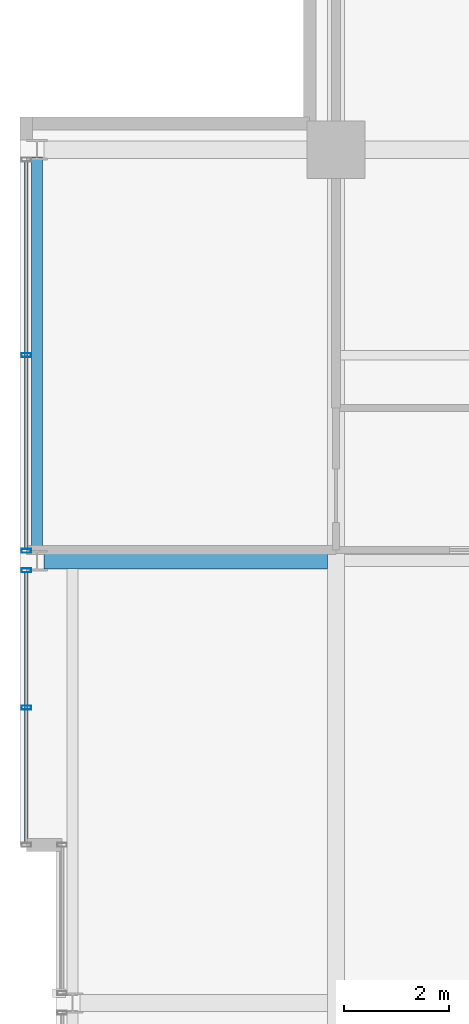
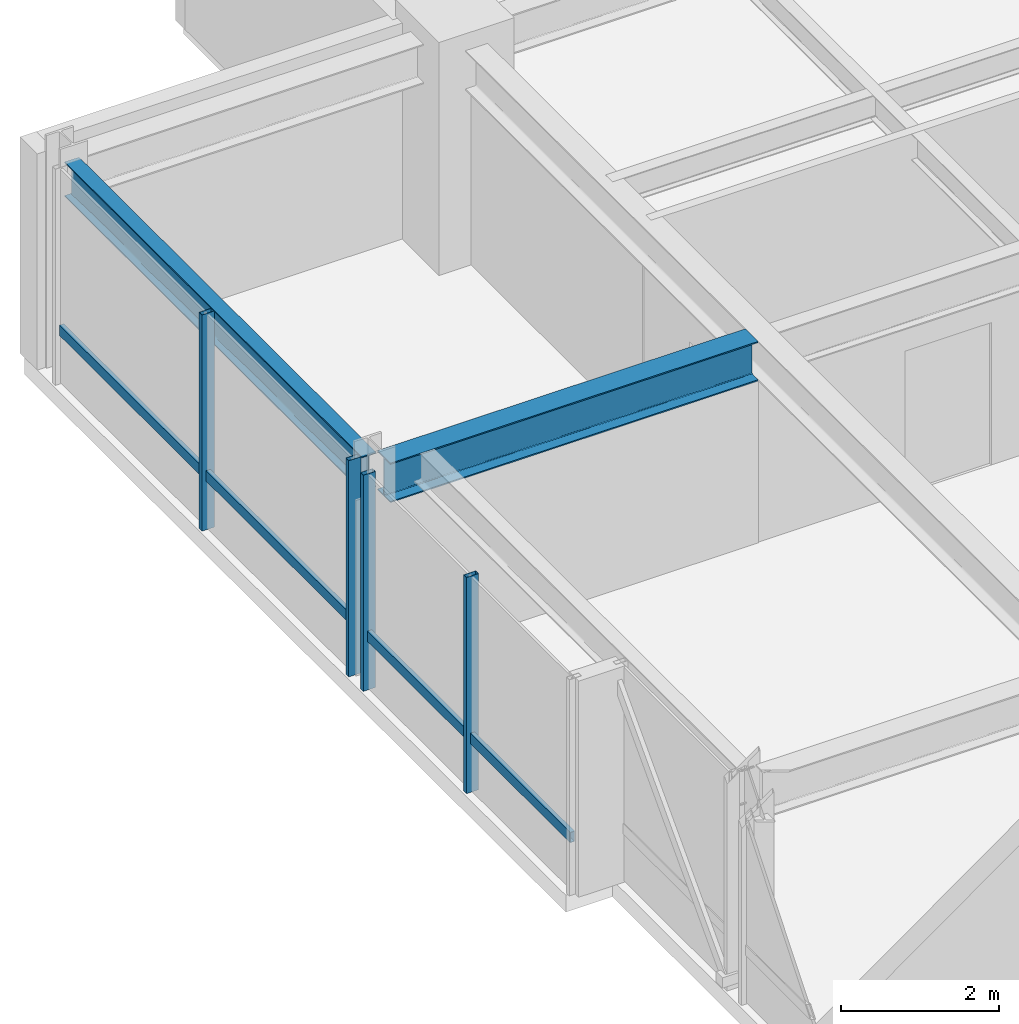
# One storey, part 17 of 31: 6 members, 2 beams, 2 elements without a shape of their own.
"""IFC4 building model written with IfcOpenShell, lengths in metres."""

from ifc_helpers import new_model, si_unit, direction, frame, origin, origin_2d, place, context, subcontext, project, spatial, hollow_rectangle, i_section, extrude, material, layer, layer_set, material_profile, profile_set, type_object, element, aggregate, save


model = new_model("IFC4")

# Units and contexts
model_context = context("Model", 3, precision=1e-05, world=origin(), true_north=direction((0.0, 1.0)))
body_context = subcontext(model_context, "Body", "Model", "MODEL_VIEW")
ifc_project = project(units=[si_unit("LENGTHUNIT", "METRE"), si_unit("AREAUNIT", "SQUARE_METRE"), si_unit("VOLUMEUNIT", "CUBIC_METRE"), si_unit("PLANEANGLEUNIT", "RADIAN"), si_unit("MASSUNIT", "GRAM", prefix="KILO")], contexts=[model_context])

# Site, building, storey
site_placement = place(None, origin())
site = spatial("IfcSite", under=ifc_project, at=site_placement, CompositionType="ELEMENT")
building_placement = place(site_placement, origin())
building = spatial("IfcBuilding", under=site, at=building_placement, Name="Drelvath Grand Hotel", CompositionType="ELEMENT")
storey_placement = place(building_placement, frame((0.0, 0.0, 219.5)))
storey = spatial("IfcBuildingStorey", under=building, at=storey_placement, Name="L57", CompositionType="ELEMENT", Elevation=219.5)

# Curtain wall, member
ifc_material_1 = material(Name="Platinum-Mist Anodised Aluminium Frame", Category="aluminium")
ifc_layer = layer(ifc_material_1, 0.199951171875)
ifc_layer_set = layer_set([ifc_layer], Name="Platinum-Mist Anodised Aluminium Frame")
curtain_wall_type = type_object("IfcCurtainWallType", Name="Stick Curtain Wall CW-05 Platinum Mist High-Rise", PredefinedType="NOTDEFINED", material=ifc_layer_set)
curtain_wall_1_placement = place(storey_placement, origin())
curtain_wall_1 = element("IfcCurtainWall", 1, at=curtain_wall_1_placement, inside=storey, type_object=curtain_wall_type, Name="L57 CW-05 Curtain Wall CW05-L57-WN1", PredefinedType="NOTDEFINED")
ifc_material_profile_1 = material_profile(ifc_material_1, hollow_rectangle(XDim=0.06494140625, YDim=0.159912109375, WallThickness=0.00390625, at=origin_2d()), Name="HSS160X65X4")
ifc_profile_set_1 = profile_set([ifc_material_profile_1], Name="Platinum-Mist Anodised Aluminium Frame")
member_type_1 = type_object("IfcMemberType", Name="Curtain Wall Horizontal Transom CW-05 HSS160X65X4", PredefinedType="USERDEFINED", material=ifc_profile_set_1)
member_1_placement = place(storey_placement, frame((-22.080078125, 30.0400390625, 0.8349609375), z_axis=(0.0, 1.0, 0.0), x_axis=(-1.0, 0.0, 0.0)))
member_1 = element("IfcMember", 2, at=member_1_placement, type_object=member_type_1, Name="CW05-L57-WN1 Sill Transom", ObjectType="TRANSOM", PredefinedType="USERDEFINED", context=body_context, shape_type="SweptSolid", body=[
    extrude(hollow_rectangle(XDim=0.06494140625, YDim=0.159912109375, WallThickness=0.00390625, at=origin_2d()), origin(), (0.0, 0.0, 1.0), 5.134765625),
])

curtain_wall_2_placement = place(storey_placement, origin())
curtain_wall_2 = element("IfcCurtainWall", 3, at=curtain_wall_2_placement, inside=storey, type_object=curtain_wall_type, Name="L57 CW-05 Curtain Wall CW05-L57-WN2", PredefinedType="NOTDEFINED")
member_2_placement = place(storey_placement, frame((-22.080078125, 35.625244140625, 0.8349609375), z_axis=(0.0, 1.0, 0.0), x_axis=(-1.0, 0.0, 0.0)))
member_2 = element("IfcMember", 4, at=member_2_placement, type_object=member_type_1, Name="CW05-L57-WN2 Sill Transom", ObjectType="TRANSOM", PredefinedType="USERDEFINED", context=body_context, shape_type="SweptSolid", body=[
    extrude(hollow_rectangle(XDim=0.06494140625, YDim=0.159912109375, WallThickness=0.00390625, at=origin_2d()), origin(), (0.0, 0.0, 1.0), 7.349365234375),
])

# Member
ifc_material_profile_2 = material_profile(ifc_material_1, hollow_rectangle(XDim=0.074951171875, YDim=0.179931640625, WallThickness=0.0048828125, at=origin_2d()), Name="HSS180X75X5")
ifc_profile_set_2 = profile_set([ifc_material_profile_2], Name="Platinum-Mist Anodised Aluminium Frame")
member_type_2 = type_object("IfcMemberType", Name="Curtain Wall Vertical Mullion CW-05 HSS180X75X5", PredefinedType="MULLION", material=ifc_profile_set_2)
member_3_placement = place(storey_placement, frame((-22.080078125, 32.607421875, 0.0), z_axis=(0.0, 0.0, 1.0), x_axis=(0.0, 1.0, 0.0)))
member_3 = element("IfcMember", 5, at=member_3_placement, type_object=member_type_2, Name="CW05-L57-WN1 Mullion 2", PredefinedType="MULLION", context=body_context, shape_type="SweptSolid", body=[
    extrude(hollow_rectangle(XDim=0.074951171875, YDim=0.179931640625, WallThickness=0.0048828125, at=origin_2d()), origin(), (0.0, 0.0, 1.0), 3.340087890625),
])

member_4_placement = place(storey_placement, frame((-22.080078125, 35.214599609375, 0.0), z_axis=(0.0, 0.0, 1.0), x_axis=(0.0, 1.0, 0.0)))
member_4 = element("IfcMember", 6, at=member_4_placement, type_object=member_type_2, Name="CW05-L57-WN1 Mullion 3", PredefinedType="MULLION", context=body_context, shape_type="SweptSolid", body=[
    extrude(hollow_rectangle(XDim=0.074951171875, YDim=0.179931640625, WallThickness=0.0048828125, at=origin_2d()), origin(), (0.0, 0.0, 1.0), 3.340087890625),
])

aggregate(curtain_wall_1, [member_3, member_4, member_1])

member_5_placement = place(storey_placement, frame((-22.080078125, 35.585205078125, 0.0), z_axis=(0.0, 0.0, 1.0), x_axis=(0.0, 1.0, 0.0)))
member_5 = element("IfcMember", 7, at=member_5_placement, type_object=member_type_2, Name="CW05-L57-WN2 Mullion 1", PredefinedType="MULLION", context=body_context, shape_type="SweptSolid", body=[
    extrude(hollow_rectangle(XDim=0.074951171875, YDim=0.179931640625, WallThickness=0.0048828125, at=origin_2d()), origin(), (0.0, 0.0, 1.0), 3.340087890625),
])

member_6_placement = place(storey_placement, frame((-22.080078125, 39.300048828125, 0.0), z_axis=(0.0, 0.0, 1.0), x_axis=(0.0, 1.0, 0.0)))
member_6 = element("IfcMember", 8, at=member_6_placement, type_object=member_type_2, Name="CW05-L57-WN2 Mullion 2", PredefinedType="MULLION", context=body_context, shape_type="SweptSolid", body=[
    extrude(hollow_rectangle(XDim=0.074951171875, YDim=0.179931640625, WallThickness=0.0048828125, at=origin_2d()), origin(), (0.0, 0.0, 1.0), 3.340087890625),
])

aggregate(curtain_wall_2, [member_5, member_6, member_2])

# Beams
ifc_material_2 = material(Name="Steel ASTM A992 Gr 50", Category="steel")
ifc_material_profile_3 = material_profile(ifc_material_2, i_section(OverallWidth=0.210205078125, OverallDepth=0.53662109375, WebThickness=0.010986328125, FlangeThickness=0.017333984375, FilletRadius=0.01806640625, at=origin_2d()), Name="W21X68")
ifc_profile_set_3 = profile_set([ifc_material_profile_3], Name="Steel ASTM A992 Gr 50")
beam_type_1 = type_object("IfcBeamType", Name="Perimeter Spandrel Beam W21X68", PredefinedType="SPANDREL", material=ifc_profile_set_3)
beam_1_placement = place(storey_placement, frame((-21.8798828125, 35.5400390625, 3.07177734375), z_axis=(0.0, 1.0, 0.0), x_axis=(-1.0, 0.0, 0.0)))
element("IfcBeam", 9, at=beam_1_placement, inside=storey, type_object=beam_type_1, Name="L57 Spandrel West N", PredefinedType="SPANDREL", context=body_context, shape_type="SweptSolid", body=[
    extrude(i_section(OverallWidth=0.210205078125, OverallDepth=0.53662109375, WebThickness=0.010986328125, FlangeThickness=0.017333984375, FilletRadius=0.01806640625, at=origin_2d()), origin(), (0.0, 0.0, 1.0), 7.52001953125),
])
ifc_material_profile_4 = material_profile(ifc_material_2, i_section(OverallWidth=0.323974609375, OverallDepth=0.611083984375, WebThickness=0.0126953125, FlangeThickness=0.01904296875, FilletRadius=0.02197265625, at=origin_2d()), Name="W24X104")
ifc_profile_set_4 = profile_set([ifc_material_profile_4], Name="Steel ASTM A992 Gr 50")
beam_type_2 = type_object("IfcBeamType", Name="Primary Floor Girder W24X104", PredefinedType="BEAM", material=ifc_profile_set_4)
beam_2_placement = place(storey_placement, frame((-21.739990234375, 35.39990234375, 3.034423828125), z_axis=(1.0, 0.0, 0.0), x_axis=(0.0, 1.0, 0.0)))
element("IfcBeam", 10, at=beam_2_placement, inside=storey, type_object=beam_type_2, Name="L57 West Wing Girder F", PredefinedType="BEAM", context=body_context, shape_type="SweptSolid", body=[
    extrude(i_section(OverallWidth=0.323974609375, OverallDepth=0.611083984375, WebThickness=0.0126953125, FlangeThickness=0.01904296875, FilletRadius=0.02197265625, at=origin_2d()), origin(), (0.0, 0.0, 1.0), 5.3779296875),
])

save(model, "model.ifc")
